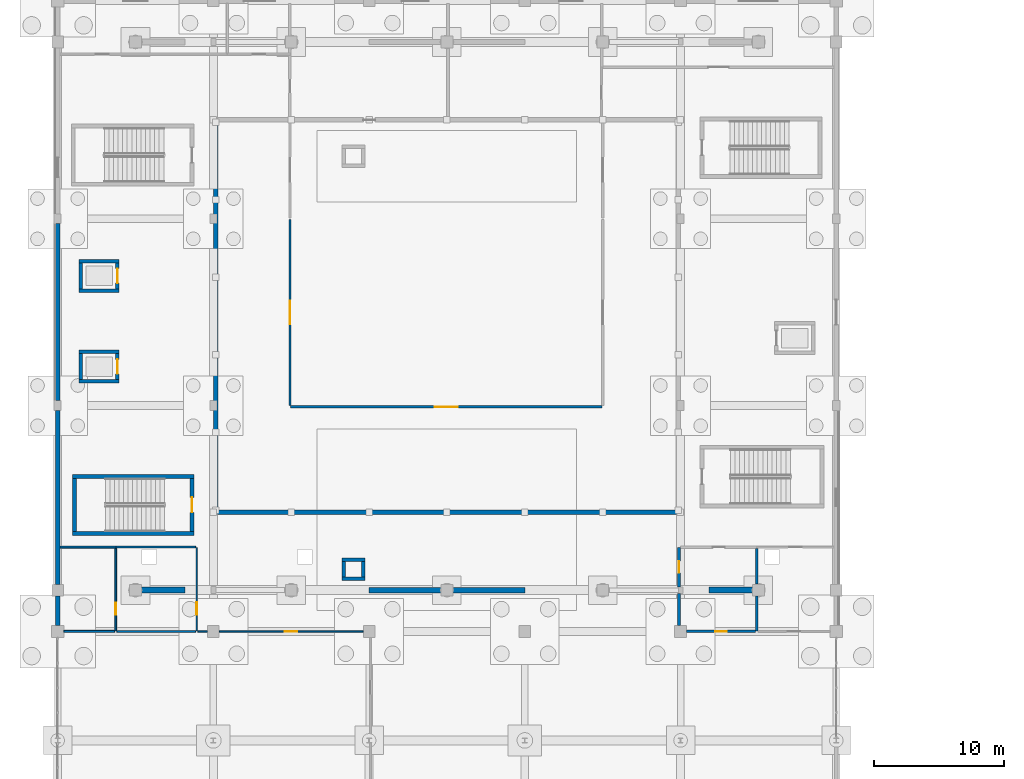
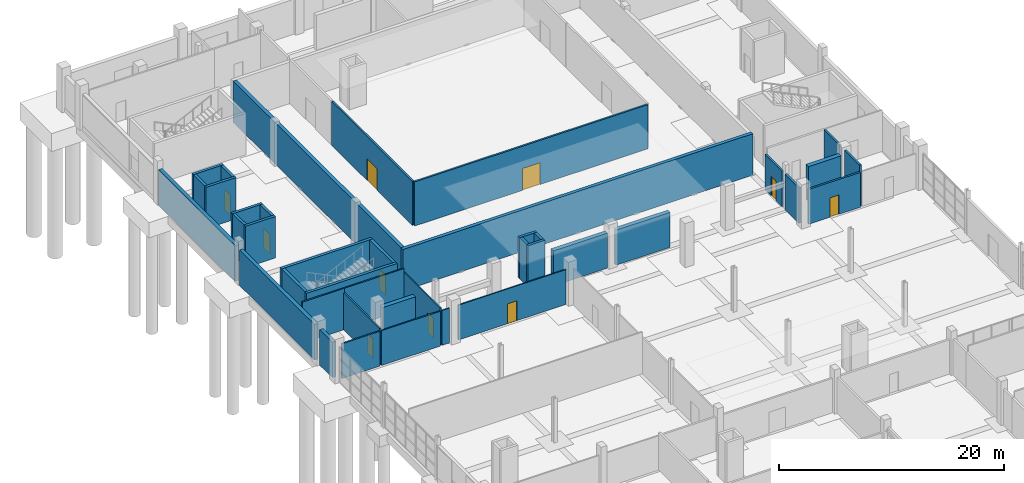
# One storey, part 59 of 82: 40 walls, 10 doors, 10 openings.
"""IFC4 building model written with IfcOpenShell, lengths in metres."""

from ifc_helpers import new_model, si_unit, direction, frame, frame_2d, origin, place, context, subcontext, project, spatial, rectangle, extrude, material, layer, layer_set, type_object, element, fill, save


model = new_model("IFC4")

# Units and contexts
model_context = context("Model", 3, precision=1e-05, world=origin(), true_north=direction((0.0, 1.0)))
body_context = subcontext(model_context, "Body", "Model", "MODEL_VIEW")
ifc_project = project(units=[si_unit("LENGTHUNIT", "METRE"), si_unit("AREAUNIT", "SQUARE_METRE"), si_unit("VOLUMEUNIT", "CUBIC_METRE"), si_unit("PLANEANGLEUNIT", "RADIAN"), si_unit("MASSUNIT", "GRAM", prefix="KILO")], contexts=[model_context])

# Site, building, storey
site_placement = place(None, origin())
site = spatial("IfcSite", under=ifc_project, at=site_placement, CompositionType="ELEMENT")
building_placement = place(site_placement, origin())
building = spatial("IfcBuilding", under=site, at=building_placement, Name="Kelmvaro Bay Concert Hall", CompositionType="ELEMENT")
storey_placement = place(building_placement, origin())
storey = spatial("IfcBuildingStorey", under=building, at=storey_placement, Name="L00", CompositionType="ELEMENT", Elevation=0.0)

# Wall
ifc_material_1 = material(Name="Acoustic Gypsum Board on Galvanised Steel Studs", Category="steel")
ifc_layer_1 = layer(ifc_material_1, 0.199951171875)
ifc_layer_set_1 = layer_set([ifc_layer_1], Name="Acoustic Gypsum Board on Galvanised Steel Studs")
wall_type_1 = type_object("IfcWallType", Name="Double-Stud Acoustic Studio Partition 200", PredefinedType="PARTITIONING", material=ifc_layer_set_1)
wall_1_placement = place(storey_placement, frame((47.8798828125, 65.85791015625, 0.0), z_axis=(0.0, 0.0, 1.0), x_axis=(0.0, 1.0, 0.0)))
element("IfcWall", 1, at=wall_1_placement, inside=storey, type_object=wall_type_1, Name="L00 Interior Partition PT-L00-0007", PredefinedType="PARTITIONING", context=body_context, shape_type="SweptSolid", body=[
    extrude(rectangle(XDim=2.464111328125, YDim=0.199951171875, at=frame_2d((1.23193359375, 0.0))), origin(), (0.0, 0.0, 1.0), 3.867919921875),
])

# Wall, opening, door
wall_2_placement = place(storey_placement, frame((47.8798828125, 68.837890625, 0.0), z_axis=(0.0, 0.0, 1.0), x_axis=(0.0, 1.0, 0.0)))
wall_2 = element("IfcWall", 2, at=wall_2_placement, inside=storey, type_object=wall_type_1, Name="L00 Interior Partition PT-L00-0008", PredefinedType="PARTITIONING", context=body_context, shape_type="SweptSolid", body=[
    extrude(rectangle(XDim=3.047119140625, YDim=0.199951171875, at=frame_2d((1.5234375, 0.0))), origin(), (0.0, 0.0, 1.0), 3.868896484375),
])
opening_1_placement = place(wall_2_placement, frame((1.068603515625, 0.0, 0.0)))
opening_1 = element("IfcOpeningElement", 3, at=opening_1_placement, cuts=wall_2, Name="Opening ID-PL2", PredefinedType="OPENING", context=body_context, shape_type="SweptSolid", body=[
    extrude(rectangle(XDim=0.909912109375, YDim=2.10009765625, at=frame_2d((0.455078125, 1.050048828125))), frame((0.0, 0.10986328125, 0.0), z_axis=(0.0, -1.0, 0.0), x_axis=(1.0, 0.0, 0.0)), (0.0, 0.0, 1.0), 0.219970703125),
])
ifc_material_2 = material(Name="Fire-Rated Galvanised Steel", Category="steel")
door_type_1 = type_object("IfcDoorType", Name="Fire Command and Storage Door 910x2100", OperationType="NOTDEFINED", PredefinedType="DOOR", material=ifc_material_2)
door_1_placement = place(opening_1_placement, origin())
door_1 = element("IfcDoor", 4, at=door_1_placement, inside=storey, type_object=door_type_1, Name="L00 Interior Door DR-INT-L00-0008", OperationType="SINGLE_SWING_RIGHT", OverallHeight=2.10009765625, OverallWidth=0.909912109375, PredefinedType="DOOR", context=body_context, shape_type="SweptSolid", body=[
    extrude(rectangle(XDim=0.909912109375, YDim=2.10009765625, at=frame_2d((0.455078125, 1.050048828125))), frame((0.0, 0.02490234375, 0.0), z_axis=(0.0, -1.0, 0.0), x_axis=(1.0, 0.0, 0.0)), (0.0, 0.0, 1.0), 0.050048828125),
])
fill(opening_1, door_1)

# Walls
wall_3_placement = place(storey_placement, frame((53.8798828125, 65.449951171875, 0.0), z_axis=(0.0, 0.0, 1.0), x_axis=(0.0, 1.0, 0.0)))
element("IfcWall", 5, at=wall_3_placement, inside=storey, type_object=wall_type_1, Name="L00 Interior Partition PT-L00-0030", PredefinedType="PARTITIONING", context=body_context, shape_type="SweptSolid", body=[
    extrude(rectangle(XDim=2.672119140625, YDim=0.199951171875, at=frame_2d((1.3359375, 0.0))), origin(), (0.0, 0.0, 1.0), 4.47998046875),
])
wall_4_placement = place(storey_placement, frame((53.8798828125, 69.0380859375, 0.0), z_axis=(0.0, 0.0, 1.0), x_axis=(0.0, 1.0, 0.0)))
element("IfcWall", 6, at=wall_4_placement, inside=storey, type_object=wall_type_1, Name="L00 Interior Partition PT-L00-0031", PredefinedType="PARTITIONING", context=body_context, shape_type="SweptSolid", body=[
    extrude(rectangle(XDim=2.751953125, YDim=0.199951171875, at=frame_2d((1.3759765625, 0.0))), origin(), (0.0, 0.0, 1.0), 4.47998046875),
])

# Wall, opening, door
wall_5_placement = place(storey_placement, frame((48.4580078125, 65.39990234375, 0.0), z_axis=(0.0, 0.0, 1.0), x_axis=(1.0, 0.0, 0.0)))
wall_5 = element("IfcWall", 7, at=wall_5_placement, inside=storey, type_object=wall_type_1, Name="L00 Interior Partition PT-L00-0032", PredefinedType="PARTITIONING", context=body_context, shape_type="SweptSolid", body=[
    extrude(rectangle(XDim=5.31201171875, YDim=0.199951171875, at=frame_2d((2.656005859375, 0.0))), origin(), (0.0, 0.0, 1.0), 3.787109375),
])
opening_2_placement = place(wall_5_placement, frame((2.200927734375, 0.0, 0.0)))
opening_2 = element("IfcOpeningElement", 8, at=opening_2_placement, cuts=wall_5, Name="Opening ID-PL2", PredefinedType="OPENING", context=body_context, shape_type="SweptSolid", body=[
    extrude(rectangle(XDim=0.909912109375, YDim=2.10009765625, at=frame_2d((0.455078125, 1.050048828125))), frame((0.0, 0.10986328125, 0.0), z_axis=(0.0, -1.0, 0.0), x_axis=(1.0, 0.0, 0.0)), (0.0, 0.0, 1.0), 0.219970703125),
])
door_2_placement = place(opening_2_placement, origin())
door_2 = element("IfcDoor", 9, at=door_2_placement, inside=storey, type_object=door_type_1, Name="L00 Interior Door DR-INT-L00-0018", OperationType="SINGLE_SWING_RIGHT", OverallHeight=2.10009765625, OverallWidth=0.909912109375, PredefinedType="DOOR", context=body_context, shape_type="SweptSolid", body=[
    extrude(rectangle(XDim=0.909912109375, YDim=2.10009765625, at=frame_2d((0.455078125, 1.050048828125))), frame((0.0, 0.02490234375, 0.0), z_axis=(0.0, -1.0, 0.0), x_axis=(1.0, 0.0, 0.0)), (0.0, 0.0, 1.0), 0.050048828125),
])
fill(opening_2, door_2)

ifc_material_3 = material(Name="Acoustic Gypsum Board on Galvanised Steel Studs", Category="steel")
ifc_layer_2 = layer(ifc_material_3, 0.139892578125)
ifc_layer_set_2 = layer_set([ifc_layer_2], Name="Acoustic Gypsum Board on Galvanised Steel Studs")
wall_type_2 = type_object("IfcWallType", Name="Dressing Suite Acoustic Partition 140", PredefinedType="PARTITIONING", material=ifc_layer_set_2)
wall_6_placement = place(storey_placement, frame((10.719970703125, 65.449951171875, 0.0), z_axis=(0.0, 0.0, 1.0), x_axis=(0.0, 1.0, 0.0)))
wall_6 = element("IfcWall", 10, at=wall_6_placement, inside=storey, type_object=wall_type_2, Name="L00 Interior Partition PT-L00-0006", PredefinedType="PARTITIONING", context=body_context, shape_type="SweptSolid", body=[
    extrude(rectangle(XDim=6.43505859375, YDim=0.139892578125, at=frame_2d((3.217529296875, 0.0))), origin(), (0.0, 0.0, 1.0), 4.01806640625),
])
opening_3_placement = place(wall_6_placement, frame((1.220703125, 0.0, 0.0)))
opening_3 = element("IfcOpeningElement", 11, at=opening_3_placement, cuts=wall_6, Name="Opening ID-DR2", PredefinedType="OPENING", context=body_context, shape_type="SweptSolid", body=[
    extrude(rectangle(XDim=0.97998046875, YDim=2.159912109375, at=frame_2d((0.489990234375, 1.080078125))), frame((0.0, 0.079833984375, 0.0), z_axis=(0.0, -1.0, 0.0), x_axis=(1.0, 0.0, 0.0)), (0.0, 0.0, 1.0), 0.159912109375),
])
ifc_material_4 = material(Name="Stained Maple Solid Core Wood", Category="wood")
door_type_2 = type_object("IfcDoorType", Name="Soloist Suite Entrance Door 980x2160", OperationType="NOTDEFINED", PredefinedType="DOOR", material=ifc_material_4)
door_3_placement = place(opening_3_placement, origin())
door_3 = element("IfcDoor", 12, at=door_3_placement, inside=storey, type_object=door_type_2, Name="L00 Interior Door DR-INT-L00-0007", OperationType="SINGLE_SWING_LEFT", OverallHeight=2.159912109375, OverallWidth=0.97998046875, PredefinedType="DOOR", context=body_context, shape_type="SweptSolid", body=[
    extrude(rectangle(XDim=0.97998046875, YDim=2.159912109375, at=frame_2d((0.489990234375, 1.080078125))), frame((0.0, 0.02490234375, 0.0), z_axis=(0.0, -1.0, 0.0), x_axis=(1.0, 0.0, 0.0)), (0.0, 0.0, 1.0), 0.050048828125),
])
fill(opening_3, door_3)

# Walls
wall_7_placement = place(storey_placement, frame((4.47509765625, 71.89990234375, 0.0), z_axis=(0.0, 0.0, 1.0), x_axis=(1.0, 0.0, 0.0)))
element("IfcWall", 13, at=wall_7_placement, inside=storey, type_object=wall_type_2, Name="L00 Interior Partition PT-L00-0012", PredefinedType="PARTITIONING", context=body_context, shape_type="SweptSolid", body=[
    extrude(rectangle(XDim=6.164794921875, YDim=0.139892578125, at=frame_2d((3.08251953125, 0.0))), origin(), (0.0, 0.0, 1.0), 4.47998046875),
])
wall_8_placement = place(storey_placement, frame((4.56494140625, 65.39990234375, 0.0), z_axis=(0.0, 0.0, 1.0), x_axis=(1.0, 0.0, 0.0)))
element("IfcWall", 14, at=wall_8_placement, inside=storey, type_object=wall_type_2, Name="L00 Interior Partition PT-L00-0018", PredefinedType="PARTITIONING", context=body_context, shape_type="SweptSolid", body=[
    extrude(rectangle(XDim=6.074951171875, YDim=0.139892578125, at=frame_2d((3.03759765625, 0.0))), origin(), (0.0, 0.0, 1.0), 3.787109375),
])
ifc_material_5 = material(Name="Concrete C40/50", Category="concrete")
ifc_layer_3 = layer(ifc_material_5, 0.35009765625)
ifc_layer_set_3 = layer_set([ifc_layer_3], Name="Concrete C40/50")
wall_type_3 = type_object("IfcWallType", Name="Inner Floating Box Shear Wall 350", PredefinedType="SHEAR", material=ifc_layer_set_3)
wall_9_placement = place(storey_placement, frame((12.0048828125, 74.580078125, 0.0), z_axis=(0.0, 0.0, 1.0), x_axis=(1.0, 0.0, 0.0)))
element("IfcWall", 15, at=wall_9_placement, inside=storey, type_object=wall_type_3, Name="L00 V1 Acoustic Inner Box Wall S", PredefinedType="SHEAR", context=body_context, shape_type="SweptSolid", body=[
    extrude(rectangle(XDim=35.990234375, YDim=0.35009765625, at=frame_2d((17.9951171875, 0.0))), origin(), (0.0, 0.0, 1.0), 4.5),
])
wall_10_placement = place(storey_placement, frame((12.179931640625, 74.7548828125, 0.0), z_axis=(0.0, 0.0, 1.0), x_axis=(0.0, 1.0, 0.0)))
element("IfcWall", 16, at=wall_10_placement, inside=storey, type_object=wall_type_3, Name="L00 V1 Acoustic Inner Box Wall W", PredefinedType="SHEAR", context=body_context, shape_type="SweptSolid", body=[
    extrude(rectangle(XDim=29.89013671875, YDim=0.35009765625, at=frame_2d((14.945068359375, 0.0))), origin(), (0.0, 0.0, 1.0), 4.5),
])
ifc_material_6 = material(Name="Concrete C40/50", Category="concrete")
ifc_layer_4 = layer(ifc_material_6, 0.449951171875)
ifc_layer_set_4 = layer_set([ifc_layer_4], Name="Concrete C40/50")
wall_type_4 = type_object("IfcWallType", Name="Outer Acoustic Box Shear Wall 450", PredefinedType="SHEAR", material=ifc_layer_set_4)
for number, where, z_axis, x_axis, name in (
    (17, (6.449951171875, 68.580078125, 0.0), (0.0, 0.0, 1.0), (1.0, 0.0, 0.0), "L00 Shell Springing Shear Wall S1"),
    (18, (50.199951171875, 68.580078125, 0.0), (0.0, 0.0, 1.0), (1.0, 0.0, 0.0), "L00 Shell Springing Shear Wall S4"),
):
    element("IfcWall", number, at=place(storey_placement, frame(where, z_axis=z_axis, x_axis=x_axis)), inside=storey, type_object=wall_type_4, Name=name, PredefinedType="SHEAR", context=body_context, shape_type="SweptSolid", body=[
        extrude(rectangle(XDim=3.35009765625, YDim=0.449951171875, at=frame_2d((1.675048828125, 0.0))), origin(), (0.0, 0.0, 1.0), 3.804931640625),
    ])

# Wall, opening, door
ifc_material_7 = material(Name="Acoustic Gypsum Board on Galvanised Steel Studs", Category="steel")
ifc_layer_5 = layer(ifc_material_7, 0.179931640625)
ifc_layer_set_5 = layer_set([ifc_layer_5], Name="Acoustic Gypsum Board on Galvanised Steel Studs")
wall_type_5 = type_object("IfcWallType", Name="Rehearsal Suite Acoustic Partition 180", PredefinedType="PARTITIONING", material=ifc_layer_set_5)
wall_11_placement = place(storey_placement, frame((17.949951171875, 82.699951171875, 0.0), z_axis=(0.0, 0.0, 1.0), x_axis=(1.0, 0.0, 0.0)))
wall_11 = element("IfcWall", 19, at=wall_11_placement, inside=storey, type_object=wall_type_5, Name="L00 Interior Partition PT-L00-0001", PredefinedType="PARTITIONING", context=body_context, shape_type="SweptSolid", body=[
    extrude(rectangle(XDim=24.0, YDim=0.179931640625, at=frame_2d((12.0, 0.0))), origin(), (0.0, 0.0, 1.0), 4.800048828125),
])
opening_4_placement = place(wall_11_placement, frame((11.10009765625, 0.0, 0.0)))
opening_4 = element("IfcOpeningElement", 20, at=opening_4_placement, cuts=wall_11, Name="Opening ID-AC1", PredefinedType="OPENING", context=body_context, shape_type="SweptSolid", body=[
    extrude(rectangle(XDim=1.800048828125, YDim=2.3798828125, at=frame_2d((0.89990234375, 1.18994140625))), frame((0.0, 0.099853515625, 0.0), z_axis=(0.0, -1.0, 0.0), x_axis=(1.0, 0.0, 0.0)), (0.0, 0.0, 1.0), 0.199951171875),
])
ifc_material_8 = material(Name="Solid White Oak Acoustic Leaf")
door_type_3 = type_object("IfcDoorType", Name="Symphony Hall Acoustic Double Door 1800x2380", OperationType="NOTDEFINED", PredefinedType="DOOR", material=ifc_material_8)
door_4_placement = place(opening_4_placement, origin())
door_4 = element("IfcDoor", 21, at=door_4_placement, inside=storey, type_object=door_type_3, Name="L00 Interior Door DR-INT-L00-0001", OperationType="DOUBLE_DOOR_SINGLE_SWING", OverallHeight=2.3798828125, OverallWidth=1.800048828125, PredefinedType="DOOR", context=body_context, shape_type="SweptSolid", body=[
    extrude(rectangle(XDim=1.800048828125, YDim=2.3798828125, at=frame_2d((0.89990234375, 1.18994140625))), frame((0.0, 0.02490234375, 0.0), z_axis=(0.0, -1.0, 0.0), x_axis=(1.0, 0.0, 0.0)), (0.0, 0.0, 1.0), 0.050048828125),
])
fill(opening_4, door_4)

wall_12_placement = place(storey_placement, frame((17.89990234375, 82.800048828125, 0.0), z_axis=(0.0, 0.0, 1.0), x_axis=(0.0, 1.0, 0.0)))
wall_12 = element("IfcWall", 22, at=wall_12_placement, inside=storey, type_object=wall_type_5, Name="L00 Interior Partition PT-L00-0002", PredefinedType="PARTITIONING", context=body_context, shape_type="SweptSolid", body=[
    extrude(rectangle(XDim=14.349853515625, YDim=0.179931640625, at=frame_2d((7.1748046875, 0.0))), origin(), (0.0, 0.0, 1.0), 4.800048828125),
])
opening_5_placement = place(wall_12_placement, frame((6.27490234375, 0.0, 0.0)))
opening_5 = element("IfcOpeningElement", 23, at=opening_5_placement, cuts=wall_12, Name="Opening ID-AC1", PredefinedType="OPENING", context=body_context, shape_type="SweptSolid", body=[
    extrude(rectangle(XDim=1.800048828125, YDim=2.3798828125, at=frame_2d((0.89990234375, 1.18994140625))), frame((0.0, 0.099853515625, 0.0), z_axis=(0.0, -1.0, 0.0), x_axis=(1.0, 0.0, 0.0)), (0.0, 0.0, 1.0), 0.199951171875),
])
door_5_placement = place(opening_5_placement, origin())
door_5 = element("IfcDoor", 24, at=door_5_placement, inside=storey, type_object=door_type_3, Name="L00 Interior Door DR-INT-L00-0002", OperationType="DOUBLE_DOOR_SINGLE_SWING", OverallHeight=2.3798828125, OverallWidth=1.800048828125, PredefinedType="DOOR", context=body_context, shape_type="SweptSolid", body=[
    extrude(rectangle(XDim=1.800048828125, YDim=2.3798828125, at=frame_2d((0.89990234375, 1.18994140625))), frame((0.0, 0.02490234375, 0.0), z_axis=(0.0, -1.0, 0.0), x_axis=(1.0, 0.0, 0.0)), (0.0, 0.0, 1.0), 0.050048828125),
])
fill(opening_5, door_5)

# Walls
ifc_material_9 = material(Name="Concrete C40/50", Category="concrete")
ifc_layer_6 = layer(ifc_material_9, 0.27001953125)
ifc_layer_set_6 = layer_set([ifc_layer_6], Name="Concrete C40/50")
wall_type_6 = type_object("IfcWallType", Name="Secondary Shaft Shear Wall 270", PredefinedType="SHEAR", material=ifc_layer_set_6)
for number, where, z_axis, x_axis, name in (
    (25, (21.929931640625, 69.465087890625, 0.0), (0.0, 0.0, 1.0), (1.0, 0.0, 0.0), "L00 Service Riser Shaft Wall 001-S"),
    (26, (21.929931640625, 70.93505859375, 0.0), (0.0, 0.0, 1.0), (1.0, 0.0, 0.0), "L00 Service Riser Shaft Wall 002-N"),
):
    element("IfcWall", number, at=place(storey_placement, frame(where, z_axis=z_axis, x_axis=x_axis)), inside=storey, type_object=wall_type_6, Name=name, PredefinedType="SHEAR", context=body_context, shape_type="SweptSolid", body=[
        extrude(rectangle(XDim=1.739990234375, YDim=0.27001953125, at=frame_2d((0.8701171875, 0.0))), origin(), (0.0, 0.0, 1.0), 4.5),
    ])
for number, where, z_axis, x_axis, name in (
    (27, (22.06494140625, 69.60009765625, 0.0), (0.0, 0.0, 1.0), (0.0, 1.0, 0.0), "L00 Service Riser Shaft Wall 003-W"),
    (28, (23.534912109375, 69.60009765625, 0.0), (0.0, 0.0, 1.0), (0.0, 1.0, 0.0), "L00 Service Riser Shaft Wall 004-E"),
):
    element("IfcWall", number, at=place(storey_placement, frame(where, z_axis=z_axis, x_axis=x_axis)), inside=storey, type_object=wall_type_6, Name=name, PredefinedType="SHEAR", context=body_context, shape_type="SweptSolid", body=[
        extrude(rectangle(XDim=1.199951171875, YDim=0.27001953125, at=frame_2d((0.60009765625, 0.0))), origin(), (0.0, 0.0, 1.0), 4.5),
    ])
for number, where, z_axis, x_axis, name in (
    (29, (1.655029296875, 84.6650390625, 0.0), (0.0, 0.0, 1.0), (1.0, 0.0, 0.0), "L00 LF-01 Lift Shaft Wall S"),
    (30, (1.655029296875, 86.93505859375, 0.0), (0.0, 0.0, 1.0), (1.0, 0.0, 0.0), "L00 LF-01 Lift Shaft Wall N"),
):
    element("IfcWall", number, at=place(storey_placement, frame(where, z_axis=z_axis, x_axis=x_axis)), inside=storey, type_object=wall_type_6, Name=name, PredefinedType="SHEAR", context=body_context, shape_type="SweptSolid", body=[
        extrude(rectangle(XDim=3.090087890625, YDim=0.27001953125, at=frame_2d((1.544921875, 0.0))), origin(), (0.0, 0.0, 1.0), 4.5),
    ])
wall_13_placement = place(storey_placement, frame((1.7900390625, 84.800048828125, 0.0), z_axis=(0.0, 0.0, 1.0), x_axis=(0.0, 1.0, 0.0)))
element("IfcWall", 31, at=wall_13_placement, inside=storey, type_object=wall_type_6, Name="L00 LF-01 Lift Shaft Wall W", PredefinedType="SHEAR", context=body_context, shape_type="SweptSolid", body=[
    extrude(rectangle(XDim=2.0, YDim=0.27001953125, at=frame_2d((1.0, 0.0))), origin(), (0.0, 0.0, 1.0), 4.5),
])

# Wall, opening, door
wall_14_placement = place(storey_placement, frame((4.610107421875, 84.800048828125, 0.0), z_axis=(0.0, 0.0, 1.0), x_axis=(0.0, 1.0, 0.0)))
wall_14 = element("IfcWall", 32, at=wall_14_placement, inside=storey, type_object=wall_type_6, Name="L00 LF-01 Lift Shaft Wall E", PredefinedType="SHEAR", context=body_context, shape_type="SweptSolid", body=[
    extrude(rectangle(XDim=2.0, YDim=0.27001953125, at=frame_2d((1.0, 0.0))), origin(), (0.0, 0.0, 1.0), 4.5),
])
opening_6_placement = place(wall_14_placement, frame((0.43994140625, 0.0, 0.0)))
opening_6 = element("IfcOpeningElement", 33, at=opening_6_placement, cuts=wall_14, Name="Opening LD-112", PredefinedType="OPENING", context=body_context, shape_type="SweptSolid", body=[
    extrude(rectangle(XDim=1.1201171875, YDim=2.14990234375, at=frame_2d((0.56005859375, 1.074951171875))), frame((0.0, 0.14501953125, 0.0), z_axis=(0.0, -1.0, 0.0), x_axis=(1.0, 0.0, 0.0)), (0.0, 0.0, 1.0), 0.2900390625),
])
ifc_material_10 = material(Name="Brushed Stainless Steel 316", Category="steel")
door_type_4 = type_object("IfcDoorType", Name="Passenger Lift Sliding Landing Door 1120x2150", OperationType="NOTDEFINED", PredefinedType="DOOR", material=ifc_material_10)
door_6_placement = place(opening_6_placement, origin())
door_6 = element("IfcDoor", 34, at=door_6_placement, inside=storey, type_object=door_type_4, Name="L00 Lift Landing Door LF-01", OperationType="SLIDING_TO_LEFT", OverallHeight=2.14990234375, OverallWidth=1.1201171875, PredefinedType="DOOR", context=body_context, shape_type="SweptSolid", body=[
    extrude(rectangle(XDim=1.1201171875, YDim=2.14990234375, at=frame_2d((0.56005859375, 1.074951171875))), frame((0.0, 0.02490234375, 0.0), z_axis=(0.0, -1.0, 0.0), x_axis=(1.0, 0.0, 0.0)), (0.0, 0.0, 1.0), 0.050048828125),
])
fill(opening_6, door_6)

# Walls
for number, where, z_axis, x_axis, name in (
    (35, (1.655029296875, 91.6650390625, 0.0), (0.0, 0.0, 1.0), (1.0, 0.0, 0.0), "L00 LF-02 Lift Shaft Wall S"),
    (36, (1.655029296875, 93.93505859375, 0.0), (0.0, 0.0, 1.0), (1.0, 0.0, 0.0), "L00 LF-02 Lift Shaft Wall N"),
):
    element("IfcWall", number, at=place(storey_placement, frame(where, z_axis=z_axis, x_axis=x_axis)), inside=storey, type_object=wall_type_6, Name=name, PredefinedType="SHEAR", context=body_context, shape_type="SweptSolid", body=[
        extrude(rectangle(XDim=3.090087890625, YDim=0.27001953125, at=frame_2d((1.544921875, 0.0))), origin(), (0.0, 0.0, 1.0), 4.5),
    ])
wall_15_placement = place(storey_placement, frame((1.7900390625, 91.800048828125, 0.0), z_axis=(0.0, 0.0, 1.0), x_axis=(0.0, 1.0, 0.0)))
element("IfcWall", 37, at=wall_15_placement, inside=storey, type_object=wall_type_6, Name="L00 LF-02 Lift Shaft Wall W", PredefinedType="SHEAR", context=body_context, shape_type="SweptSolid", body=[
    extrude(rectangle(XDim=2.0, YDim=0.27001953125, at=frame_2d((1.0, 0.0))), origin(), (0.0, 0.0, 1.0), 4.5),
])

# Wall, opening, door
wall_16_placement = place(storey_placement, frame((4.610107421875, 91.800048828125, 0.0), z_axis=(0.0, 0.0, 1.0), x_axis=(0.0, 1.0, 0.0)))
wall_16 = element("IfcWall", 38, at=wall_16_placement, inside=storey, type_object=wall_type_6, Name="L00 LF-02 Lift Shaft Wall E", PredefinedType="SHEAR", context=body_context, shape_type="SweptSolid", body=[
    extrude(rectangle(XDim=2.0, YDim=0.27001953125, at=frame_2d((1.0, 0.0))), origin(), (0.0, 0.0, 1.0), 4.5),
])
opening_7_placement = place(wall_16_placement, frame((0.43994140625, 0.0, 0.0)))
opening_7 = element("IfcOpeningElement", 39, at=opening_7_placement, cuts=wall_16, Name="Opening LD-112", PredefinedType="OPENING", context=body_context, shape_type="SweptSolid", body=[
    extrude(rectangle(XDim=1.1201171875, YDim=2.14990234375, at=frame_2d((0.56005859375, 1.074951171875))), frame((0.0, 0.14501953125, 0.0), z_axis=(0.0, -1.0, 0.0), x_axis=(1.0, 0.0, 0.0)), (0.0, 0.0, 1.0), 0.2900390625),
])
door_7_placement = place(opening_7_placement, origin())
door_7 = element("IfcDoor", 40, at=door_7_placement, inside=storey, type_object=door_type_4, Name="L00 Lift Landing Door LF-02", OperationType="SLIDING_TO_LEFT", OverallHeight=2.14990234375, OverallWidth=1.1201171875, PredefinedType="DOOR", context=body_context, shape_type="SweptSolid", body=[
    extrude(rectangle(XDim=1.1201171875, YDim=2.14990234375, at=frame_2d((0.56005859375, 1.074951171875))), frame((0.0, 0.02490234375, 0.0), z_axis=(0.0, -1.0, 0.0), x_axis=(1.0, 0.0, 0.0)), (0.0, 0.0, 1.0), 0.050048828125),
])
fill(opening_7, door_7)

# Walls
ifc_material_11 = material(Name="Concrete C40/50", Category="concrete")
ifc_layer_7 = layer(ifc_material_11, 0.409912109375)
ifc_layer_set_7 = layer_set([ifc_layer_7], Name="Concrete C40/50")
wall_type_7 = type_object("IfcWallType", Name="Shell Springing Shear Wall 410", PredefinedType="SHEAR", material=ifc_layer_set_7)
for number, where, z_axis, x_axis, name in (
    (41, (24.0, 68.580078125, 0.0), (0.0, 0.0, 1.0), (1.0, 0.0, 0.0), "L00 Shell Springing Shear Wall S2"),
    (42, (30.449951171875, 68.580078125, 0.0), (0.0, 0.0, 1.0), (1.0, 0.0, 0.0), "L00 Shell Springing Shear Wall S3"),
):
    element("IfcWall", number, at=place(storey_placement, frame(where, z_axis=z_axis, x_axis=x_axis)), inside=storey, type_object=wall_type_7, Name=name, PredefinedType="SHEAR", context=body_context, shape_type="SweptSolid", body=[
        extrude(rectangle(XDim=5.550048828125, YDim=0.409912109375, at=frame_2d((2.77490234375, 0.0))), origin(), (0.0, 0.0, 1.0), 3.804931640625),
    ])
ifc_material_12 = material(Name="Concrete C40/50", Category="concrete")
ifc_layer_8 = layer(ifc_material_12, 0.2900390625)
ifc_layer_set_8 = layer_set([ifc_layer_8], Name="Concrete C40/50")
wall_type_8 = type_object("IfcWallType", Name="Stair and Lift Core Shear Wall 290", PredefinedType="SHEAR", material=ifc_layer_set_8)
for number, where, z_axis, x_axis, name in (
    (43, (1.159912109375, 72.945068359375, 0.0), (0.0, 0.0, 1.0), (1.0, 0.0, 0.0), "L00 ST-01 Core Shear Wall S"),
    (44, (1.159912109375, 77.344970703125, 0.0), (0.0, 0.0, 1.0), (1.0, 0.0, 0.0), "L00 ST-01 Core Shear Wall N"),
):
    element("IfcWall", number, at=place(storey_placement, frame(where, z_axis=z_axis, x_axis=x_axis)), inside=storey, type_object=wall_type_8, Name=name, PredefinedType="SHEAR", context=body_context, shape_type="SweptSolid", body=[
        extrude(rectangle(XDim=9.330078125, YDim=0.2900390625, at=frame_2d((4.6650390625, 0.0))), origin(), (0.0, 0.0, 1.0), 4.5),
    ])
wall_17_placement = place(storey_placement, frame((1.304931640625, 73.090087890625, 0.0), z_axis=(0.0, 0.0, 1.0), x_axis=(0.0, 1.0, 0.0)))
element("IfcWall", 45, at=wall_17_placement, inside=storey, type_object=wall_type_8, Name="L00 ST-01 Core Shear Wall W", PredefinedType="SHEAR", context=body_context, shape_type="SweptSolid", body=[
    extrude(rectangle(XDim=4.10986328125, YDim=0.2900390625, at=frame_2d((2.054931640625, 0.0))), origin(), (0.0, 0.0, 1.0), 4.5),
])

# Wall, opening, door
wall_18_placement = place(storey_placement, frame((10.344970703125, 73.090087890625, 0.0), z_axis=(0.0, 0.0, 1.0), x_axis=(0.0, 1.0, 0.0)))
wall_18 = element("IfcWall", 46, at=wall_18_placement, inside=storey, type_object=wall_type_8, Name="L00 ST-01 Core Shear Wall E", PredefinedType="SHEAR", context=body_context, shape_type="SweptSolid", body=[
    extrude(rectangle(XDim=4.10986328125, YDim=0.2900390625, at=frame_2d((2.054931640625, 0.0))), origin(), (0.0, 0.0, 1.0), 4.5),
])
opening_8_placement = place(wall_18_placement, frame((1.47998046875, 0.0, 0.0)))
opening_8 = element("IfcOpeningElement", 47, at=opening_8_placement, cuts=wall_18, Name="Opening ID-ST1", PredefinedType="OPENING", context=body_context, shape_type="SweptSolid", body=[
    extrude(rectangle(XDim=1.14990234375, YDim=2.14990234375, at=frame_2d((0.574951171875, 1.074951171875))), frame((0.0, 0.155029296875, 0.0), z_axis=(0.0, -1.0, 0.0), x_axis=(1.0, 0.0, 0.0)), (0.0, 0.0, 1.0), 0.31005859375),
])
ifc_material_13 = material(Name="Fire-Rated Galvanised Steel", Category="steel")
door_type_5 = type_object("IfcDoorType", Name="Exit Stair Fire Door 1150x2150", OperationType="NOTDEFINED", PredefinedType="DOOR", material=ifc_material_13)
door_8_placement = place(opening_8_placement, origin())
door_8 = element("IfcDoor", 48, at=door_8_placement, inside=storey, type_object=door_type_5, Name="L00 ST-01 Stair Fire Door", OperationType="SINGLE_SWING_RIGHT", OverallHeight=2.14990234375, OverallWidth=1.14990234375, PredefinedType="DOOR", context=body_context, shape_type="SweptSolid", body=[
    extrude(rectangle(XDim=1.14990234375, YDim=2.14990234375, at=frame_2d((0.574951171875, 1.074951171875))), frame((0.0, 0.02490234375, 0.0), z_axis=(0.0, -1.0, 0.0), x_axis=(1.0, 0.0, 0.0)), (0.0, 0.0, 1.0), 0.050048828125),
])
fill(opening_8, door_8)

# Wall
ifc_material_14 = material(Name="Acoustic Gypsum Board on Galvanised Steel Studs", Category="steel")
ifc_layer_9 = layer(ifc_material_14, 0.1201171875)
ifc_layer_set_9 = layer_set([ifc_layer_9], Name="Acoustic Gypsum Board on Galvanised Steel Studs")
wall_type_9 = type_object("IfcWallType", Name="Standard Architectural Partition 120", PredefinedType="PARTITIONING", material=ifc_layer_set_9)
wall_19_placement = place(storey_placement, frame((10.800048828125, 65.39990234375, 0.0), z_axis=(0.0, 0.0, 1.0), x_axis=(1.0, 0.0, 0.0)))
element("IfcWall", 49, at=wall_19_placement, inside=storey, type_object=wall_type_9, Name="L00 Interior Partition PT-L00-0009", PredefinedType="PARTITIONING", context=body_context, shape_type="SweptSolid", body=[
    extrude(rectangle(XDim=0.741943359375, YDim=0.1201171875, at=frame_2d((0.37109375, 0.0))), origin(), (0.0, 0.0, 1.0), 3.787109375),
])

# Wall, opening, door
wall_20_placement = place(storey_placement, frame((12.4580078125, 65.39990234375, 0.0), z_axis=(0.0, 0.0, 1.0), x_axis=(1.0, 0.0, 0.0)))
wall_20 = element("IfcWall", 50, at=wall_20_placement, inside=storey, type_object=wall_type_9, Name="L00 Interior Partition PT-L00-0010", PredefinedType="PARTITIONING", context=body_context, shape_type="SweptSolid", body=[
    extrude(rectangle(XDim=11.083984375, YDim=0.1201171875, at=frame_2d((5.5419921875, 0.0))), origin(), (0.0, 0.0, 1.0), 3.787109375),
])
opening_9_placement = place(wall_20_placement, frame((5.06201171875, 0.0, 0.0)))
opening_9 = element("IfcOpeningElement", 51, at=opening_9_placement, cuts=wall_20, Name="Opening ID-AD1", PredefinedType="OPENING", context=body_context, shape_type="SweptSolid", body=[
    extrude(rectangle(XDim=0.9599609375, YDim=2.159912109375, at=frame_2d((0.47998046875, 1.080078125))), frame((0.0, 0.070068359375, 0.0), z_axis=(0.0, -1.0, 0.0), x_axis=(1.0, 0.0, 0.0)), (0.0, 0.0, 1.0), 0.14013671875),
])
ifc_material_15 = material(Name="Anodised Aluminium and Glass", Category="aluminium")
door_type_6 = type_object("IfcDoorType", Name="Administration Suite Glazed Door 960x2160", OperationType="NOTDEFINED", PredefinedType="DOOR", material=ifc_material_15)
door_9_placement = place(opening_9_placement, origin())
door_9 = element("IfcDoor", 52, at=door_9_placement, inside=storey, type_object=door_type_6, Name="L00 Interior Door DR-INT-L00-0009", OperationType="SINGLE_SWING_LEFT", OverallHeight=2.159912109375, OverallWidth=0.9599609375, PredefinedType="DOOR", context=body_context, shape_type="SweptSolid", body=[
    extrude(rectangle(XDim=0.9599609375, YDim=2.159912109375, at=frame_2d((0.47998046875, 1.080078125))), frame((0.0, 0.02490234375, 0.0), z_axis=(0.0, -1.0, 0.0), x_axis=(1.0, 0.0, 0.0)), (0.0, 0.0, 1.0), 0.050048828125),
])
fill(opening_9, door_9)

# Walls
ifc_material_16 = material(Name="Precast Concrete C40/50", Category="concrete")
ifc_layer_10 = layer(ifc_material_16, 0.360107421875)
ifc_layer_set_10 = layer_set([ifc_layer_10], Name="Precast Concrete C40/50")
wall_type_10 = type_object("IfcWallType", Name="Travertine Acoustic Precast Wall 360", PredefinedType="SOLIDWALL", material=ifc_layer_set_10)
wall_21_placement = place(storey_placement, frame((0.0, 65.875, 0.0), z_axis=(0.0, 0.0, 1.0), x_axis=(0.0, 1.0, 0.0)))
element("IfcWall", 53, at=wall_21_placement, inside=storey, type_object=wall_type_10, Name="L00 Exterior Wall EW-L00-0006", PredefinedType="SOLIDWALL", context=body_context, shape_type="SweptSolid", body=[
    extrude(rectangle(XDim=2.2548828125, YDim=0.360107421875, at=frame_2d((1.12744140625, 0.0))), origin(), (0.0, 0.0, 1.0), 3.867919921875),
])
wall_22_placement = place(storey_placement, frame((0.0, 69.030029296875, 0.0), z_axis=(0.0, 0.0, 1.0), x_axis=(0.0, 1.0, 0.0)))
element("IfcWall", 54, at=wall_22_placement, inside=storey, type_object=wall_type_10, Name="L00 Exterior Wall EW-L00-0007", PredefinedType="SOLIDWALL", context=body_context, shape_type="SweptSolid", body=[
    extrude(rectangle(XDim=13.39501953125, YDim=0.360107421875, at=frame_2d((6.697509765625, 0.0))), origin(), (0.0, 0.0, 1.0), 3.868896484375),
])
wall_23_placement = place(storey_placement, frame((0.0, 83.175048828125, 0.0), z_axis=(0.0, 0.0, 1.0), x_axis=(0.0, 1.0, 0.0)))
element("IfcWall", 55, at=wall_23_placement, inside=storey, type_object=wall_type_10, Name="L00 Exterior Wall EW-L00-0008", PredefinedType="SOLIDWALL", context=body_context, shape_type="SweptSolid", body=[
    extrude(rectangle(XDim=13.64990234375, YDim=0.360107421875, at=frame_2d((6.824951171875, 0.0))), origin(), (0.0, 0.0, 1.0), 3.868896484375),
])
ifc_material_17 = material(Name="Acoustic Gypsum Board on Galvanised Steel Studs", Category="steel")
ifc_layer_11 = layer(ifc_material_17, 0.14990234375)
ifc_layer_set_11 = layer_set([ifc_layer_11], Name="Acoustic Gypsum Board on Galvanised Steel Studs")
wall_type_11 = type_object("IfcWallType", Name="Wet Area Moisture-Resistant Partition 150", PredefinedType="PARTITIONING", material=ifc_layer_set_11)
wall_24_placement = place(storey_placement, frame((0.18994140625, 71.89990234375, 0.0), z_axis=(0.0, 0.0, 1.0), x_axis=(1.0, 0.0, 0.0)))
element("IfcWall", 56, at=wall_24_placement, inside=storey, type_object=wall_type_11, Name="L00 Interior Partition PT-L00-0011", PredefinedType="PARTITIONING", context=body_context, shape_type="SweptSolid", body=[
    extrude(rectangle(XDim=4.295166015625, YDim=0.14990234375, at=frame_2d((2.1474609375, 0.0))), origin(), (0.0, 0.0, 1.0), 4.47998046875),
])

# Wall, opening, door
wall_25_placement = place(storey_placement, frame((4.47998046875, 65.449951171875, 0.0), z_axis=(0.0, 0.0, 1.0), x_axis=(0.0, 1.0, 0.0)))
wall_25 = element("IfcWall", 57, at=wall_25_placement, inside=storey, type_object=wall_type_11, Name="L00 Interior Partition PT-L00-0016", PredefinedType="PARTITIONING", context=body_context, shape_type="SweptSolid", body=[
    extrude(rectangle(XDim=6.364990234375, YDim=0.14990234375, at=frame_2d((3.1826171875, 0.0))), origin(), (0.0, 0.0, 1.0), 4.02294921875),
])
opening_10_placement = place(wall_25_placement, frame((1.22412109375, 0.0, 0.0)))
opening_10 = element("IfcOpeningElement", 58, at=opening_10_placement, cuts=wall_25, Name="Opening ID-WC1", PredefinedType="OPENING", context=body_context, shape_type="SweptSolid", body=[
    extrude(rectangle(XDim=0.93994140625, YDim=2.10009765625, at=frame_2d((0.469970703125, 1.050048828125))), frame((0.0, 0.0849609375, 0.0), z_axis=(0.0, -1.0, 0.0), x_axis=(1.0, 0.0, 0.0)), (0.0, 0.0, 1.0), 0.169921875),
])
ifc_material_18 = material(Name="High-Pressure Laminate Core")
door_type_7 = type_object("IfcDoorType", Name="Accessible Restroom Door 940x2100", OperationType="NOTDEFINED", PredefinedType="DOOR", material=ifc_material_18)
door_10_placement = place(opening_10_placement, origin())
door_10 = element("IfcDoor", 59, at=door_10_placement, inside=storey, type_object=door_type_7, Name="L00 Interior Door DR-INT-L00-0013", OperationType="SINGLE_SWING_LEFT", OverallHeight=2.10009765625, OverallWidth=0.93994140625, PredefinedType="DOOR", context=body_context, shape_type="SweptSolid", body=[
    extrude(rectangle(XDim=0.93994140625, YDim=2.10009765625, at=frame_2d((0.469970703125, 1.050048828125))), frame((0.0, 0.02490234375, 0.0), z_axis=(0.0, -1.0, 0.0), x_axis=(1.0, 0.0, 0.0)), (0.0, 0.0, 1.0), 0.050048828125),
])
fill(opening_10, door_10)

# Wall
wall_26_placement = place(storey_placement, frame((0.48291015625, 65.39990234375, 0.0), z_axis=(0.0, 0.0, 1.0), x_axis=(1.0, 0.0, 0.0)))
element("IfcWall", 60, at=wall_26_placement, inside=storey, type_object=wall_type_11, Name="L00 Interior Partition PT-L00-0017", PredefinedType="PARTITIONING", context=body_context, shape_type="SweptSolid", body=[
    extrude(rectangle(XDim=3.912109375, YDim=0.14990234375, at=frame_2d((1.9560546875, 0.0))), origin(), (0.0, 0.0, 1.0), 3.787109375),
])

save(model, "model.ifc")
